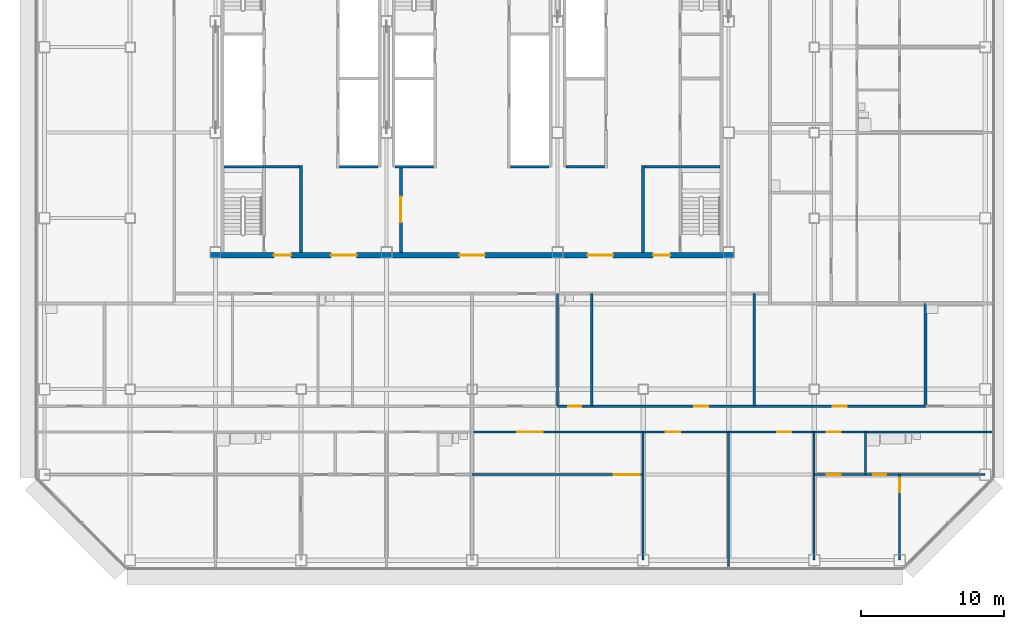
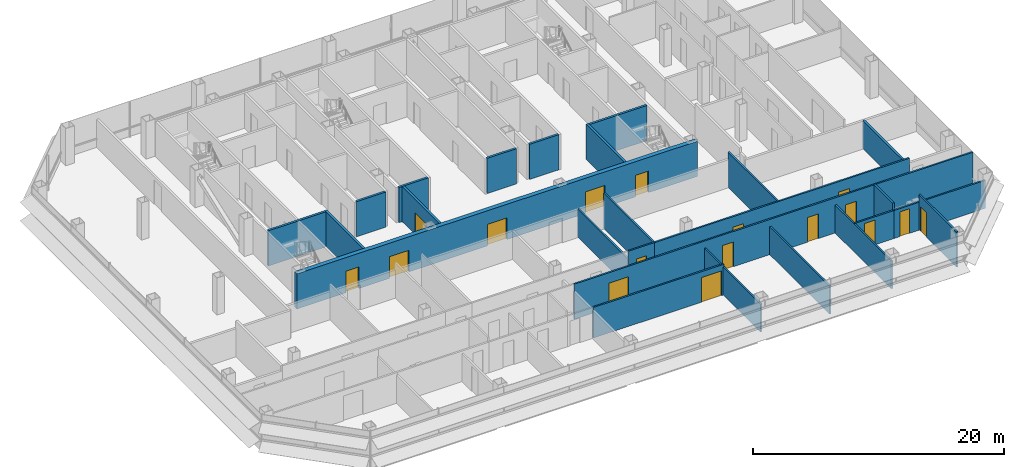
# One storey, part 20 of 25: 26 walls, 17 doors, 17 openings.
"""IFC4 building model written with IfcOpenShell, lengths in metres."""

from ifc_helpers import new_model, si_unit, direction, frame, frame_2d, origin, place, context, subcontext, project, spatial, rectangle, extrude, material, layer, layer_set, type_object, element, fill, save


model = new_model("IFC4")

# Units and contexts
model_context = context("Model", 3, precision=1e-05, world=origin(), true_north=direction((0.0, 1.0)))
body_context = subcontext(model_context, "Body", "Model", "MODEL_VIEW")
ifc_project = project(units=[si_unit("LENGTHUNIT", "METRE"), si_unit("AREAUNIT", "SQUARE_METRE"), si_unit("VOLUMEUNIT", "CUBIC_METRE"), si_unit("PLANEANGLEUNIT", "RADIAN"), si_unit("MASSUNIT", "GRAM", prefix="KILO")], contexts=[model_context])

# Site, building, storey
site_placement = place(None, origin())
site = spatial("IfcSite", under=ifc_project, at=site_placement, CompositionType="ELEMENT")
building_placement = place(site_placement, origin())
building = spatial("IfcBuilding", under=site, at=building_placement, Name="Sorahane Residences", CompositionType="ELEMENT")
storey_placement = place(building_placement, frame((0.0, 0.0, 143.800048828125)))
storey = spatial("IfcBuildingStorey", under=building, at=storey_placement, Name="L32", CompositionType="ELEMENT", Elevation=143.800048828125)

# Walls
ifc_material_1 = material(Name="Concrete C30", Category="concrete")
ifc_layer_1 = layer(ifc_material_1, 0.199951171875)
ifc_layer_set_1 = layer_set([ifc_layer_1], Name="Front room wall 200 EI 120")
wall_type_1 = type_object("IfcWallType", Name="Front room wall 200 EI 120", PredefinedType="PARTITIONING", material=ifc_layer_set_1)
for number, where, z_axis, x_axis, name in (
    (1, (12.0, 21.60009765625, 0.0), (0.0, 0.0, 1.0), (0.0, 1.0, 0.0), "L32 front room wall"),
    (2, (36.0, 21.60009765625, 0.0), (0.0, 0.0, 1.0), (0.0, 1.0, 0.0), "L32 front room wall"),
):
    element("IfcWall", number, at=place(storey_placement, frame(where, z_axis=z_axis, x_axis=x_axis)), inside=storey, type_object=wall_type_1, Name=name, PredefinedType="PARTITIONING", context=body_context, shape_type="SweptSolid", body=[
        extrude(rectangle(XDim=6.099853515625, YDim=0.199951171875, at=frame_2d((3.0498046875, 0.0))), origin(), (0.0, 0.0, 1.0), 3.419921875),
    ])
ifc_material_2 = material(Name="Concrete blockwork C20 wall", Category="masonry")
ifc_layer_2 = layer(ifc_material_2, 0.199951171875)
ifc_layer_set_2 = layer_set([ifc_layer_2], Name="Kitchen wall 200 EI 180")
wall_type_2 = type_object("IfcWallType", Name="Kitchen wall 200 EI 180", PredefinedType="SOLIDWALL", material=ifc_layer_set_2)
wall_1_placement = place(storey_placement, frame((55.800048828125, 10.800048828125, 0.0), z_axis=(0.0, 0.0, 1.0), x_axis=(0.0, 1.0, 0.0)))
element("IfcWall", 3, at=wall_1_placement, inside=storey, type_object=wall_type_2, Name="L32 kitchen wall", PredefinedType="SOLIDWALL", context=body_context, shape_type="SweptSolid", body=[
    extrude(rectangle(XDim=7.199951171875, YDim=0.199951171875, at=frame_2d((3.60009765625, 0.0))), origin(), (0.0, 0.0, 1.0), 2.719970703125),
])
ifc_material_3 = material(Name="Concrete C30", Category="concrete")
ifc_layer_3 = layer(ifc_material_3, 0.199951171875)
ifc_layer_set_3 = layer_set([ifc_layer_3], Name="Lift shaft wall 200 EI 120")
wall_type_3 = type_object("IfcWallType", Name="Lift shaft wall 200 EI 120", PredefinedType="SOLIDWALL", material=ifc_layer_set_3)
for number, where, z_axis, x_axis, name in (
    (4, (14.699951171875, 27.60009765625, 0.0), (0.0, 0.0, 1.0), (1.0, 0.0, 0.0), "L32 lift shaft wall"),
    (5, (18.60009765625, 27.60009765625, 0.0), (0.0, 0.0, 1.0), (1.0, 0.0, 0.0), "L32 lift shaft wall"),
):
    element("IfcWall", number, at=place(storey_placement, frame(where, z_axis=z_axis, x_axis=x_axis)), inside=storey, type_object=wall_type_3, Name=name, PredefinedType="SOLIDWALL", context=body_context, shape_type="SweptSolid", body=[
        extrude(rectangle(XDim=2.699951171875, YDim=0.199951171875, at=frame_2d((1.35009765625, 0.0))), origin(), (0.0, 0.0, 1.0), 3.419921875),
    ])
ifc_material_4 = material(Name="Gypsum board partition on steel studs", Category="steel")
ifc_layer_4 = layer(ifc_material_4, 0.14990234375)
ifc_layer_set_4 = layer_set([ifc_layer_4], Name="Partition 150 EI 90")
wall_type_4 = type_object("IfcWallType", Name="Partition 150 EI 90", PredefinedType="PARTITIONING", material=ifc_layer_set_4)
wall_2_placement = place(storey_placement, frame((36.0, 0.0, 0.0), z_axis=(0.0, 0.0, 1.0), x_axis=(0.0, 1.0, 0.0)))
element("IfcWall", 6, at=wall_2_placement, inside=storey, type_object=wall_type_4, Name="L32 partition", PredefinedType="PARTITIONING", context=body_context, shape_type="SweptSolid", body=[
    extrude(rectangle(XDim=9.0, YDim=0.14990234375, at=frame_2d((4.5, 0.0))), origin(), (0.0, 0.0, 1.0), 2.719970703125),
])
wall_3_placement = place(storey_placement, frame((42.0, -0.60009765625, 0.0), z_axis=(0.0, 0.0, 1.0), x_axis=(0.0, 1.0, 0.0)))
element("IfcWall", 7, at=wall_3_placement, inside=storey, type_object=wall_type_4, Name="L32 partition", PredefinedType="PARTITIONING", context=body_context, shape_type="SweptSolid", body=[
    extrude(rectangle(XDim=9.60009765625, YDim=0.14990234375, at=frame_2d((4.800048828125, 0.0))), origin(), (0.0, 0.0, 1.0), 2.719970703125),
])
wall_4_placement = place(storey_placement, frame((43.800048828125, 10.800048828125, 0.0), z_axis=(0.0, 0.0, 1.0), x_axis=(0.0, 1.0, 0.0)))
element("IfcWall", 8, at=wall_4_placement, inside=storey, type_object=wall_type_4, Name="L32 partition", PredefinedType="PARTITIONING", context=body_context, shape_type="SweptSolid", body=[
    extrude(rectangle(XDim=7.89990234375, YDim=0.14990234375, at=frame_2d((3.949951171875, 0.0))), origin(), (0.0, 0.0, 1.0), 3.419921875),
])
wall_5_placement = place(storey_placement, frame((48.0, 0.0, 0.0), z_axis=(0.0, 0.0, 1.0), x_axis=(0.0, 1.0, 0.0)))
element("IfcWall", 9, at=wall_5_placement, inside=storey, type_object=wall_type_4, Name="L32 partition", PredefinedType="PARTITIONING", context=body_context, shape_type="SweptSolid", body=[
    extrude(rectangle(XDim=9.0, YDim=0.14990234375, at=frame_2d((4.5, 0.0))), origin(), (0.0, 0.0, 1.0), 2.719970703125),
])

# Wall, opening, door
wall_6_placement = place(storey_placement, frame((54.0, 0.0, 0.0), z_axis=(0.0, 0.0, 1.0), x_axis=(0.0, 1.0, 0.0)))
wall_6 = element("IfcWall", 10, at=wall_6_placement, inside=storey, type_object=wall_type_4, Name="L32 partition", PredefinedType="PARTITIONING", context=body_context, shape_type="SweptSolid", body=[
    extrude(rectangle(XDim=6.0, YDim=0.14990234375, at=frame_2d((3.0, 0.0))), origin(), (0.0, 0.0, 1.0), 3.419921875),
])
opening_1_placement = place(wall_6_placement, frame((4.75, 0.0, 0.0)))
opening_1 = element("IfcOpeningElement", 11, at=opening_1_placement, cuts=wall_6, Name="Opening L32-26", PredefinedType="OPENING", context=body_context, shape_type="SweptSolid", body=[
    extrude(rectangle(XDim=1.0, YDim=2.39990234375, at=frame_2d((0.5, 1.199951171875))), frame((0.0, 0.0849609375, 0.0), z_axis=(0.0, -1.0, 0.0), x_axis=(1.0, 0.0, 0.0)), (0.0, 0.0, 1.0), 0.169921875),
])
ifc_material_5 = material(Name="Timber veneered fire door", Category="wood")
door_type_1 = type_object("IfcDoorType", Name="Room door 1000x2400 FD30", OperationType="NOTDEFINED", PredefinedType="DOOR", material=ifc_material_5)
door_1_placement = place(opening_1_placement, frame((1.0, 0.0, 0.0), z_axis=(0.0, 0.0, 1.0), x_axis=(-1.0, 0.0, 0.0)))
door_1 = element("IfcDoor", 12, at=door_1_placement, inside=storey, type_object=door_type_1, Name="Room door L32-26", OperationType="SINGLE_SWING_LEFT", OverallHeight=2.39990234375, OverallWidth=1.0, PredefinedType="DOOR", context=body_context, shape_type="SweptSolid", body=[
    extrude(rectangle(XDim=1.0, YDim=2.39990234375, at=frame_2d((0.5, 1.199951171875))), frame((0.0, 0.02490234375, 0.0), z_axis=(0.0, -1.0, 0.0), x_axis=(1.0, 0.0, 0.0)), (0.0, 0.0, 1.0), 0.050048828125),
])
fill(opening_1, door_1)

# Wall, openings, doors
wall_7_placement = place(storey_placement, frame((32.39990234375, 10.800048828125, 0.0), z_axis=(0.0, 0.0, 1.0), x_axis=(1.0, 0.0, 0.0)))
wall_7 = element("IfcWall", 13, at=wall_7_placement, inside=storey, type_object=wall_type_4, Name="L32 partition", PredefinedType="PARTITIONING", context=body_context, shape_type="SweptSolid", body=[
    extrude(rectangle(XDim=23.400146484375, YDim=0.14990234375, at=frame_2d((11.7001953125, 0.0))), origin(), (0.0, 0.0, 1.0), 3.419921875),
])
opening_2_placement = place(wall_7_placement, frame((7.179931640625, 0.0, 0.0)))
opening_2 = element("IfcOpeningElement", 14, at=opening_2_placement, cuts=wall_7, Name="Opening L32-17", PredefinedType="OPENING", context=body_context, shape_type="SweptSolid", body=[
    extrude(rectangle(XDim=1.0, YDim=2.39990234375, at=frame_2d((0.5, 1.199951171875))), frame((0.0, 0.0849609375, 0.0), z_axis=(0.0, -1.0, 0.0), x_axis=(1.0, 0.0, 0.0)), (0.0, 0.0, 1.0), 0.169921875),
])
opening_3_placement = place(wall_7_placement, frame((16.89990234375, 0.0, 0.0)))
opening_3 = element("IfcOpeningElement", 15, at=opening_3_placement, cuts=wall_7, Name="Opening L32-18", PredefinedType="OPENING", context=body_context, shape_type="SweptSolid", body=[
    extrude(rectangle(XDim=1.0, YDim=2.39990234375, at=frame_2d((0.5, 1.199951171875))), frame((0.0, 0.0849609375, 0.0), z_axis=(0.0, -1.0, 0.0), x_axis=(1.0, 0.0, 0.0)), (0.0, 0.0, 1.0), 0.169921875),
])
door_2_placement = place(opening_2_placement, origin())
door_2 = element("IfcDoor", 16, at=door_2_placement, inside=storey, type_object=door_type_1, Name="Room door L32-17", OperationType="SINGLE_SWING_RIGHT", OverallHeight=2.39990234375, OverallWidth=1.0, PredefinedType="DOOR", context=body_context, shape_type="SweptSolid", body=[
    extrude(rectangle(XDim=1.0, YDim=2.39990234375, at=frame_2d((0.5, 1.199951171875))), frame((0.0, 0.02490234375, 0.0), z_axis=(0.0, -1.0, 0.0), x_axis=(1.0, 0.0, 0.0)), (0.0, 0.0, 1.0), 0.050048828125),
])
fill(opening_2, door_2)
door_3_placement = place(opening_3_placement, origin())
door_3 = element("IfcDoor", 17, at=door_3_placement, inside=storey, type_object=door_type_1, Name="Room door L32-18", OperationType="SINGLE_SWING_RIGHT", OverallHeight=2.39990234375, OverallWidth=1.0, PredefinedType="DOOR", context=body_context, shape_type="SweptSolid", body=[
    extrude(rectangle(XDim=1.0, YDim=2.39990234375, at=frame_2d((0.5, 1.199951171875))), frame((0.0, 0.02490234375, 0.0), z_axis=(0.0, -1.0, 0.0), x_axis=(1.0, 0.0, 0.0)), (0.0, 0.0, 1.0), 0.050048828125),
])
fill(opening_3, door_3)

# Wall, opening, door
wall_8_placement = place(storey_placement, frame((24.0, 6.0, 0.0), z_axis=(0.0, 0.0, 1.0), x_axis=(1.0, 0.0, 0.0)))
wall_8 = element("IfcWall", 18, at=wall_8_placement, inside=storey, type_object=wall_type_4, Name="L32 partition", PredefinedType="PARTITIONING", context=body_context, shape_type="SweptSolid", body=[
    extrude(rectangle(XDim=12.0, YDim=0.14990234375, at=frame_2d((6.0, 0.0))), origin(), (0.0, 0.0, 1.0), 2.969970703125),
])
opening_4_placement = place(wall_8_placement, frame((9.949951171875, 0.0, 0.0)))
opening_4 = element("IfcOpeningElement", 19, at=opening_4_placement, cuts=wall_8, Name="Opening L32-24", PredefinedType="OPENING", context=body_context, shape_type="SweptSolid", body=[
    extrude(rectangle(XDim=1.800048828125, YDim=2.39990234375, at=frame_2d((0.89990234375, 1.199951171875))), frame((0.0, 0.0849609375, 0.0), z_axis=(0.0, -1.0, 0.0), x_axis=(1.0, 0.0, 0.0)), (0.0, 0.0, 1.0), 0.169921875),
])
ifc_material_6 = material(Name="Timber veneered fire door", Category="wood")
door_type_2 = type_object("IfcDoorType", Name="Double door 1800x2400 FD30", OperationType="NOTDEFINED", PredefinedType="DOOR", material=ifc_material_6)
door_4_placement = place(opening_4_placement, frame((1.800048828125, 0.0, 0.0), z_axis=(0.0, 0.0, 1.0), x_axis=(-1.0, 0.0, 0.0)))
door_4 = element("IfcDoor", 20, at=door_4_placement, inside=storey, type_object=door_type_2, Name="Double door L32-24", OperationType="SINGLE_SWING_LEFT", OverallHeight=2.39990234375, OverallWidth=1.800048828125, PredefinedType="DOOR", context=body_context, shape_type="SweptSolid", body=[
    extrude(rectangle(XDim=1.800048828125, YDim=2.39990234375, at=frame_2d((0.89990234375, 1.199951171875))), frame((0.0, 0.02490234375, 0.0), z_axis=(0.0, -1.0, 0.0), x_axis=(1.0, 0.0, 0.0)), (0.0, 0.0, 1.0), 0.050048828125),
])
fill(opening_4, door_4)

wall_9_placement = place(storey_placement, frame((48.0, 6.0, 0.0), z_axis=(0.0, 0.0, 1.0), x_axis=(1.0, 0.0, 0.0)))
wall_9 = element("IfcWall", 21, at=wall_9_placement, inside=storey, type_object=wall_type_4, Name="L32 partition", PredefinedType="PARTITIONING", context=body_context, shape_type="SweptSolid", body=[
    extrude(rectangle(XDim=3.60009765625, YDim=0.14990234375, at=frame_2d((1.800048828125, 0.0))), origin(), (0.0, 0.0, 1.0), 2.719970703125),
])
opening_5_placement = place(wall_9_placement, frame((0.8798828125, 0.0, 0.0)))
opening_5 = element("IfcOpeningElement", 22, at=opening_5_placement, cuts=wall_9, Name="Opening L32-25", PredefinedType="OPENING", context=body_context, shape_type="SweptSolid", body=[
    extrude(rectangle(XDim=1.0, YDim=2.39990234375, at=frame_2d((0.5, 1.199951171875))), frame((0.0, 0.0849609375, 0.0), z_axis=(0.0, -1.0, 0.0), x_axis=(1.0, 0.0, 0.0)), (0.0, 0.0, 1.0), 0.169921875),
])
door_5_placement = place(opening_5_placement, frame((1.0, 0.0, 0.0), z_axis=(0.0, 0.0, 1.0), x_axis=(-1.0, 0.0, 0.0)))
door_5 = element("IfcDoor", 23, at=door_5_placement, inside=storey, type_object=door_type_1, Name="Room door L32-25", OperationType="SINGLE_SWING_LEFT", OverallHeight=2.39990234375, OverallWidth=1.0, PredefinedType="DOOR", context=body_context, shape_type="SweptSolid", body=[
    extrude(rectangle(XDim=1.0, YDim=2.39990234375, at=frame_2d((0.5, 1.199951171875))), frame((0.0, 0.02490234375, 0.0), z_axis=(0.0, -1.0, 0.0), x_axis=(1.0, 0.0, 0.0)), (0.0, 0.0, 1.0), 0.050048828125),
])
fill(opening_5, door_5)

# Wall, openings, doors
wall_10_placement = place(storey_placement, frame((24.0, 9.0, 0.0), z_axis=(0.0, 0.0, 1.0), x_axis=(1.0, 0.0, 0.0)))
wall_10 = element("IfcWall", 24, at=wall_10_placement, inside=storey, type_object=wall_type_4, Name="L32 partition", PredefinedType="PARTITIONING", context=body_context, shape_type="SweptSolid", body=[
    extrude(rectangle(XDim=27.60009765625, YDim=0.14990234375, at=frame_2d((13.800048828125, 0.0))), origin(), (0.0, 0.0, 1.0), 3.419921875),
])
opening_6_placement = place(wall_10_placement, frame((3.159912109375, 0.0, 0.0)))
opening_6 = element("IfcOpeningElement", 25, at=opening_6_placement, cuts=wall_10, Name="Opening L32-20", PredefinedType="OPENING", context=body_context, shape_type="SweptSolid", body=[
    extrude(rectangle(XDim=1.800048828125, YDim=2.39990234375, at=frame_2d((0.89990234375, 1.199951171875))), frame((0.0, 0.0849609375, 0.0), z_axis=(0.0, -1.0, 0.0), x_axis=(1.0, 0.0, 0.0)), (0.0, 0.0, 1.0), 0.169921875),
])
opening_7_placement = place(wall_10_placement, frame((13.60009765625, 0.0, 0.0)))
opening_7 = element("IfcOpeningElement", 26, at=opening_7_placement, cuts=wall_10, Name="Opening L32-21", PredefinedType="OPENING", context=body_context, shape_type="SweptSolid", body=[
    extrude(rectangle(XDim=1.0, YDim=2.39990234375, at=frame_2d((0.5, 1.199951171875))), frame((0.0, 0.0849609375, 0.0), z_axis=(0.0, -1.0, 0.0), x_axis=(1.0, 0.0, 0.0)), (0.0, 0.0, 1.0), 0.169921875),
])
opening_8_placement = place(wall_10_placement, frame((21.39990234375, 0.0, 0.0)))
opening_8 = element("IfcOpeningElement", 27, at=opening_8_placement, cuts=wall_10, Name="Opening L32-22", PredefinedType="OPENING", context=body_context, shape_type="SweptSolid", body=[
    extrude(rectangle(XDim=1.0, YDim=2.39990234375, at=frame_2d((0.5, 1.199951171875))), frame((0.0, 0.0849609375, 0.0), z_axis=(0.0, -1.0, 0.0), x_axis=(1.0, 0.0, 0.0)), (0.0, 0.0, 1.0), 0.169921875),
])
opening_9_placement = place(wall_10_placement, frame((24.8798828125, 0.0, 0.0)))
opening_9 = element("IfcOpeningElement", 28, at=opening_9_placement, cuts=wall_10, Name="Opening L32-23", PredefinedType="OPENING", context=body_context, shape_type="SweptSolid", body=[
    extrude(rectangle(XDim=1.0, YDim=2.39990234375, at=frame_2d((0.5, 1.199951171875))), frame((0.0, 0.0849609375, 0.0), z_axis=(0.0, -1.0, 0.0), x_axis=(1.0, 0.0, 0.0)), (0.0, 0.0, 1.0), 0.169921875),
])
door_6_placement = place(opening_6_placement, frame((1.800048828125, 0.0, 0.0), z_axis=(0.0, 0.0, 1.0), x_axis=(-1.0, 0.0, 0.0)))
door_6 = element("IfcDoor", 29, at=door_6_placement, inside=storey, type_object=door_type_2, Name="Double door L32-20", OperationType="SINGLE_SWING_RIGHT", OverallHeight=2.39990234375, OverallWidth=1.800048828125, PredefinedType="DOOR", context=body_context, shape_type="SweptSolid", body=[
    extrude(rectangle(XDim=1.800048828125, YDim=2.39990234375, at=frame_2d((0.89990234375, 1.199951171875))), frame((0.0, 0.02490234375, 0.0), z_axis=(0.0, -1.0, 0.0), x_axis=(1.0, 0.0, 0.0)), (0.0, 0.0, 1.0), 0.050048828125),
])
fill(opening_6, door_6)
door_7_placement = place(opening_7_placement, frame((1.0, 0.0, 0.0), z_axis=(0.0, 0.0, 1.0), x_axis=(-1.0, 0.0, 0.0)))
door_7 = element("IfcDoor", 30, at=door_7_placement, inside=storey, type_object=door_type_1, Name="Room door L32-21", OperationType="SINGLE_SWING_LEFT", OverallHeight=2.39990234375, OverallWidth=1.0, PredefinedType="DOOR", context=body_context, shape_type="SweptSolid", body=[
    extrude(rectangle(XDim=1.0, YDim=2.39990234375, at=frame_2d((0.5, 1.199951171875))), frame((0.0, 0.02490234375, 0.0), z_axis=(0.0, -1.0, 0.0), x_axis=(1.0, 0.0, 0.0)), (0.0, 0.0, 1.0), 0.050048828125),
])
fill(opening_7, door_7)
door_8_placement = place(opening_8_placement, frame((1.0, 0.0, 0.0), z_axis=(0.0, 0.0, 1.0), x_axis=(-1.0, 0.0, 0.0)))
door_8 = element("IfcDoor", 31, at=door_8_placement, inside=storey, type_object=door_type_1, Name="Room door L32-22", OperationType="SINGLE_SWING_RIGHT", OverallHeight=2.39990234375, OverallWidth=1.0, PredefinedType="DOOR", context=body_context, shape_type="SweptSolid", body=[
    extrude(rectangle(XDim=1.0, YDim=2.39990234375, at=frame_2d((0.5, 1.199951171875))), frame((0.0, 0.02490234375, 0.0), z_axis=(0.0, -1.0, 0.0), x_axis=(1.0, 0.0, 0.0)), (0.0, 0.0, 1.0), 0.050048828125),
])
fill(opening_8, door_8)
door_9_placement = place(opening_9_placement, frame((1.0, 0.0, 0.0), z_axis=(0.0, 0.0, 1.0), x_axis=(-1.0, 0.0, 0.0)))
door_9 = element("IfcDoor", 32, at=door_9_placement, inside=storey, type_object=door_type_1, Name="Room door L32-23", OperationType="SINGLE_SWING_LEFT", OverallHeight=2.39990234375, OverallWidth=1.0, PredefinedType="DOOR", context=body_context, shape_type="SweptSolid", body=[
    extrude(rectangle(XDim=1.0, YDim=2.39990234375, at=frame_2d((0.5, 1.199951171875))), frame((0.0, 0.02490234375, 0.0), z_axis=(0.0, -1.0, 0.0), x_axis=(1.0, 0.0, 0.0)), (0.0, 0.0, 1.0), 0.050048828125),
])
fill(opening_9, door_9)

# Wall
ifc_material_7 = material(Name="Concrete C30", Category="concrete")
ifc_layer_5 = layer(ifc_material_7, 0.199951171875)
ifc_layer_set_5 = layer_set([ifc_layer_5], Name="Riser shaft wall 200 EI 120")
wall_type_5 = type_object("IfcWallType", Name="Riser shaft wall 200 EI 120", PredefinedType="SOLIDWALL", material=ifc_layer_set_5)
wall_11_placement = place(storey_placement, frame((26.699951171875, 27.60009765625, 0.0), z_axis=(0.0, 0.0, 1.0), x_axis=(1.0, 0.0, 0.0)))
element("IfcWall", 33, at=wall_11_placement, inside=storey, type_object=wall_type_5, Name="L32 riser wall", PredefinedType="SOLIDWALL", context=body_context, shape_type="SweptSolid", body=[
    extrude(rectangle(XDim=2.699951171875, YDim=0.199951171875, at=frame_2d((1.35009765625, 0.0))), origin(), (0.0, 0.0, 1.0), 3.419921875),
])

# Wall, opening, door
ifc_material_8 = material(Name="Concrete C30", Category="concrete")
ifc_layer_6 = layer(ifc_material_8, 0.199951171875)
ifc_layer_set_6 = layer_set([ifc_layer_6], Name="Service room partition 200 EI 60")
wall_type_6 = type_object("IfcWallType", Name="Service room partition 200 EI 60", PredefinedType="PARTITIONING", material=ifc_layer_set_6)
wall_12_placement = place(storey_placement, frame((19.0, 21.60009765625, 0.0), z_axis=(0.0, 0.0, 1.0), x_axis=(0.0, 1.0, 0.0)))
wall_12 = element("IfcWall", 34, at=wall_12_placement, inside=storey, type_object=wall_type_6, Name="L32 service room wall", PredefinedType="PARTITIONING", context=body_context, shape_type="SweptSolid", body=[
    extrude(rectangle(XDim=6.0, YDim=0.199951171875, at=frame_2d((3.0, 0.0))), origin(), (0.0, 0.0, 1.0), 3.419921875),
])
opening_10_placement = place(wall_12_placement, frame((2.10009765625, 0.0, 0.0)))
opening_10 = element("IfcOpeningElement", 35, at=opening_10_placement, cuts=wall_12, Name="Opening L32-C02", PredefinedType="OPENING", context=body_context, shape_type="SweptSolid", body=[
    extrude(rectangle(XDim=1.800048828125, YDim=2.10009765625, at=frame_2d((0.89990234375, 1.050048828125))), frame((0.0, 0.10986328125, 0.0), z_axis=(0.0, -1.0, 0.0), x_axis=(1.0, 0.0, 0.0)), (0.0, 0.0, 1.0), 0.219970703125),
])
ifc_material_9 = material(Name="Steel", Category="steel")
door_type_3 = type_object("IfcDoorType", Name="Waiting hall door 1800x2100 FD60", OperationType="NOTDEFINED", PredefinedType="DOOR", material=ifc_material_9)
door_10_placement = place(opening_10_placement, origin())
door_10 = element("IfcDoor", 36, at=door_10_placement, inside=storey, type_object=door_type_3, Name="Waiting hall door Residents' waiting hall west L32", OperationType="SINGLE_SWING_LEFT", OverallHeight=2.10009765625, OverallWidth=1.800048828125, PredefinedType="DOOR", context=body_context, shape_type="SweptSolid", body=[
    extrude(rectangle(XDim=1.800048828125, YDim=2.10009765625, at=frame_2d((0.89990234375, 1.050048828125))), frame((0.0, 0.02490234375, 0.0), z_axis=(0.0, -1.0, 0.0), x_axis=(1.0, 0.0, 0.0)), (0.0, 0.0, 1.0), 0.050048828125),
])
fill(opening_10, door_10)

# Walls
wall_13_placement = place(storey_placement, frame((30.60009765625, 27.60009765625, 0.0), z_axis=(0.0, 0.0, 1.0), x_axis=(1.0, 0.0, 0.0)))
element("IfcWall", 37, at=wall_13_placement, inside=storey, type_object=wall_type_6, Name="L32 service room wall", PredefinedType="PARTITIONING", context=body_context, shape_type="SweptSolid", body=[
    extrude(rectangle(XDim=2.699951171875, YDim=0.199951171875, at=frame_2d((1.35009765625, 0.0))), origin(), (0.0, 0.0, 1.0), 3.419921875),
])
ifc_material_10 = material(Name="Concrete C30", Category="concrete")
ifc_layer_7 = layer(ifc_material_10, 0.199951171875)
ifc_layer_set_7 = layer_set([ifc_layer_7], Name="Stair enclosure wall 200 EI 120")
wall_type_7 = type_object("IfcWallType", Name="Stair enclosure wall 200 EI 120", PredefinedType="SOLIDWALL", material=ifc_layer_set_7)
for number, where, z_axis, x_axis, name in (
    (38, (36.10009765625, 27.60009765625, 0.0), (0.0, 0.0, 1.0), (1.0, 0.0, 0.0), "L32 stair enclosure wall"),
    (39, (6.60009765625, 27.60009765625, 0.0), (0.0, 0.0, 1.0), (1.0, 0.0, 0.0), "L32 stair enclosure wall"),
):
    element("IfcWall", number, at=place(storey_placement, frame(where, z_axis=z_axis, x_axis=x_axis)), inside=storey, type_object=wall_type_7, Name=name, PredefinedType="SOLIDWALL", context=body_context, shape_type="SweptSolid", body=[
        extrude(rectangle(XDim=5.2998046875, YDim=0.199951171875, at=frame_2d((2.64990234375, 0.0))), origin(), (0.0, 0.0, 1.0), 3.419921875),
    ])

# Wall, openings, doors
ifc_material_11 = material(Name="Concrete C30", Category="concrete")
ifc_layer_8 = layer(ifc_material_11, 0.39990234375)
ifc_layer_set_8 = layer_set([ifc_layer_8], Name="Waiting hall wall 400 EI 120")
wall_type_8 = type_object("IfcWallType", Name="Waiting hall wall 400 EI 120", PredefinedType="SOLIDWALL", material=ifc_layer_set_8)
wall_14_placement = place(storey_placement, frame((5.60009765625, 21.39990234375, 0.0), z_axis=(0.0, 0.0, 1.0), x_axis=(1.0, 0.0, 0.0)))
wall_14 = element("IfcWall", 40, at=wall_14_placement, inside=storey, type_object=wall_type_8, Name="L32 waiting hall wall", PredefinedType="SOLIDWALL", context=body_context, shape_type="SweptSolid", body=[
    extrude(rectangle(XDim=36.7998046875, YDim=0.39990234375, at=frame_2d((18.39990234375, 0.0))), origin(), (0.0, 0.0, 1.0), 3.419921875),
])
opening_11_placement = place(wall_14_placement, frame((8.5, 0.0, 0.0)))
opening_11 = element("IfcOpeningElement", 41, at=opening_11_placement, cuts=wall_14, Name="Opening L32-C01", PredefinedType="OPENING", context=body_context, shape_type="SweptSolid", body=[
    extrude(rectangle(XDim=1.800048828125, YDim=2.10009765625, at=frame_2d((0.89990234375, 1.050048828125))), frame((0.0, 0.2099609375, 0.0), z_axis=(0.0, -1.0, 0.0), x_axis=(1.0, 0.0, 0.0)), (0.0, 0.0, 1.0), 0.419921875),
])
opening_12_placement = place(wall_14_placement, frame((17.5, 0.0, 0.0)))
opening_12 = element("IfcOpeningElement", 42, at=opening_12_placement, cuts=wall_14, Name="Opening L32-C03", PredefinedType="OPENING", context=body_context, shape_type="SweptSolid", body=[
    extrude(rectangle(XDim=1.800048828125, YDim=2.10009765625, at=frame_2d((0.89990234375, 1.050048828125))), frame((0.0, 0.2099609375, 0.0), z_axis=(0.0, -1.0, 0.0), x_axis=(1.0, 0.0, 0.0)), (0.0, 0.0, 1.0), 0.419921875),
])
opening_13_placement = place(wall_14_placement, frame((26.5, 0.0, 0.0)))
opening_13 = element("IfcOpeningElement", 43, at=opening_13_placement, cuts=wall_14, Name="Opening L32-C04", PredefinedType="OPENING", context=body_context, shape_type="SweptSolid", body=[
    extrude(rectangle(XDim=1.800048828125, YDim=2.10009765625, at=frame_2d((0.89990234375, 1.050048828125))), frame((0.0, 0.2099609375, 0.0), z_axis=(0.0, -1.0, 0.0), x_axis=(1.0, 0.0, 0.0)), (0.0, 0.0, 1.0), 0.419921875),
])
opening_14_placement = place(wall_14_placement, frame((4.5, 0.0, 0.0)))
opening_14 = element("IfcOpeningElement", 44, at=opening_14_placement, cuts=wall_14, Name="Opening L32-C05", PredefinedType="OPENING", context=body_context, shape_type="SweptSolid", body=[
    extrude(rectangle(XDim=1.199951171875, YDim=2.10009765625, at=frame_2d((0.60009765625, 1.050048828125))), frame((0.0, 0.2099609375, 0.0), z_axis=(0.0, -1.0, 0.0), x_axis=(1.0, 0.0, 0.0)), (0.0, 0.0, 1.0), 0.419921875),
])
opening_15_placement = place(wall_14_placement, frame((31.10009765625, 0.0, 0.0)))
opening_15 = element("IfcOpeningElement", 45, at=opening_15_placement, cuts=wall_14, Name="Opening L32-C06", PredefinedType="OPENING", context=body_context, shape_type="SweptSolid", body=[
    extrude(rectangle(XDim=1.199951171875, YDim=2.10009765625, at=frame_2d((0.60009765625, 1.050048828125))), frame((0.0, 0.2099609375, 0.0), z_axis=(0.0, -1.0, 0.0), x_axis=(1.0, 0.0, 0.0)), (0.0, 0.0, 1.0), 0.419921875),
])
ifc_material_12 = material(Name="Steel", Category="steel")
door_type_4 = type_object("IfcDoorType", Name="Stair front room door 1200x2100 FD120", OperationType="NOTDEFINED", PredefinedType="DOOR", material=ifc_material_12)
door_11_placement = place(opening_14_placement, frame((1.199951171875, 0.0, 0.0), z_axis=(0.0, 0.0, 1.0), x_axis=(-1.0, 0.0, 0.0)))
door_11 = element("IfcDoor", 46, at=door_11_placement, inside=storey, type_object=door_type_4, Name="Stair front room door Stair S4 front room L32", OperationType="SINGLE_SWING_LEFT", OverallHeight=2.10009765625, OverallWidth=1.199951171875, PredefinedType="DOOR", context=body_context, shape_type="SweptSolid", body=[
    extrude(rectangle(XDim=1.199951171875, YDim=2.10009765625, at=frame_2d((0.60009765625, 1.050048828125))), frame((0.0, 0.02490234375, 0.0), z_axis=(0.0, -1.0, 0.0), x_axis=(1.0, 0.0, 0.0)), (0.0, 0.0, 1.0), 0.050048828125),
])
fill(opening_14, door_11)
door_12_placement = place(opening_15_placement, frame((1.199951171875, 0.0, 0.0), z_axis=(0.0, 0.0, 1.0), x_axis=(-1.0, 0.0, 0.0)))
door_12 = element("IfcDoor", 47, at=door_12_placement, inside=storey, type_object=door_type_4, Name="Stair front room door Stair S5 front room L32", OperationType="SINGLE_SWING_LEFT", OverallHeight=2.10009765625, OverallWidth=1.199951171875, PredefinedType="DOOR", context=body_context, shape_type="SweptSolid", body=[
    extrude(rectangle(XDim=1.199951171875, YDim=2.10009765625, at=frame_2d((0.60009765625, 1.050048828125))), frame((0.0, 0.02490234375, 0.0), z_axis=(0.0, -1.0, 0.0), x_axis=(1.0, 0.0, 0.0)), (0.0, 0.0, 1.0), 0.050048828125),
])
fill(opening_15, door_12)
door_13_placement = place(opening_11_placement, frame((1.800048828125, 0.0, 0.0), z_axis=(0.0, 0.0, 1.0), x_axis=(-1.0, 0.0, 0.0)))
door_13 = element("IfcDoor", 48, at=door_13_placement, inside=storey, type_object=door_type_3, Name="Waiting hall door Residents' waiting hall west L32", OperationType="SINGLE_SWING_LEFT", OverallHeight=2.10009765625, OverallWidth=1.800048828125, PredefinedType="DOOR", context=body_context, shape_type="SweptSolid", body=[
    extrude(rectangle(XDim=1.800048828125, YDim=2.10009765625, at=frame_2d((0.89990234375, 1.050048828125))), frame((0.0, 0.02490234375, 0.0), z_axis=(0.0, -1.0, 0.0), x_axis=(1.0, 0.0, 0.0)), (0.0, 0.0, 1.0), 0.050048828125),
])
fill(opening_11, door_13)
door_14_placement = place(opening_12_placement, frame((1.800048828125, 0.0, 0.0), z_axis=(0.0, 0.0, 1.0), x_axis=(-1.0, 0.0, 0.0)))
door_14 = element("IfcDoor", 49, at=door_14_placement, inside=storey, type_object=door_type_3, Name="Waiting hall door Residents' waiting hall east L32", OperationType="SINGLE_SWING_LEFT", OverallHeight=2.10009765625, OverallWidth=1.800048828125, PredefinedType="DOOR", context=body_context, shape_type="SweptSolid", body=[
    extrude(rectangle(XDim=1.800048828125, YDim=2.10009765625, at=frame_2d((0.89990234375, 1.050048828125))), frame((0.0, 0.02490234375, 0.0), z_axis=(0.0, -1.0, 0.0), x_axis=(1.0, 0.0, 0.0)), (0.0, 0.0, 1.0), 0.050048828125),
])
fill(opening_12, door_14)
door_15_placement = place(opening_13_placement, frame((1.800048828125, 0.0, 0.0), z_axis=(0.0, 0.0, 1.0), x_axis=(-1.0, 0.0, 0.0)))
door_15 = element("IfcDoor", 50, at=door_15_placement, inside=storey, type_object=door_type_3, Name="Waiting hall door Residents' waiting hall east L32", OperationType="SINGLE_SWING_LEFT", OverallHeight=2.10009765625, OverallWidth=1.800048828125, PredefinedType="DOOR", context=body_context, shape_type="SweptSolid", body=[
    extrude(rectangle(XDim=1.800048828125, YDim=2.10009765625, at=frame_2d((0.89990234375, 1.050048828125))), frame((0.0, 0.02490234375, 0.0), z_axis=(0.0, -1.0, 0.0), x_axis=(1.0, 0.0, 0.0)), (0.0, 0.0, 1.0), 0.050048828125),
])
fill(opening_13, door_15)

# Walls
ifc_material_13 = material(Name="Gypsum board partition on steel studs", Category="steel")
ifc_layer_9 = layer(ifc_material_13, 0.14990234375)
ifc_layer_set_9 = layer_set([ifc_layer_9], Name="Wet wall 150 EI 90")
wall_type_9 = type_object("IfcWallType", Name="Wet wall 150 EI 90", PredefinedType="PARTITIONING", material=ifc_layer_set_9)
wall_15_placement = place(storey_placement, frame((30.0, 10.800048828125, 0.0), z_axis=(0.0, 0.0, 1.0), x_axis=(0.0, 1.0, 0.0)))
element("IfcWall", 51, at=wall_15_placement, inside=storey, type_object=wall_type_9, Name="L32 wet wall", PredefinedType="PARTITIONING", context=body_context, shape_type="SweptSolid", body=[
    extrude(rectangle(XDim=7.89990234375, YDim=0.14990234375, at=frame_2d((3.949951171875, 0.0))), origin(), (0.0, 0.0, 1.0), 2.719970703125),
])
wall_16_placement = place(storey_placement, frame((32.39990234375, 10.800048828125, 0.0), z_axis=(0.0, 0.0, 1.0), x_axis=(0.0, 1.0, 0.0)))
element("IfcWall", 52, at=wall_16_placement, inside=storey, type_object=wall_type_9, Name="L32 wet wall", PredefinedType="PARTITIONING", context=body_context, shape_type="SweptSolid", body=[
    extrude(rectangle(XDim=7.89990234375, YDim=0.14990234375, at=frame_2d((3.949951171875, 0.0))), origin(), (0.0, 0.0, 1.0), 3.419921875),
])
wall_17_placement = place(storey_placement, frame((51.60009765625, 6.0, 0.0), z_axis=(0.0, 0.0, 1.0), x_axis=(0.0, 1.0, 0.0)))
element("IfcWall", 53, at=wall_17_placement, inside=storey, type_object=wall_type_9, Name="L32 wet wall", PredefinedType="PARTITIONING", context=body_context, shape_type="SweptSolid", body=[
    extrude(rectangle(XDim=3.0, YDim=0.14990234375, at=frame_2d((1.5, 0.0))), origin(), (0.0, 0.0, 1.0), 3.419921875),
])

# Wall, opening, door
wall_18_placement = place(storey_placement, frame((30.0, 10.800048828125, 0.0), z_axis=(0.0, 0.0, 1.0), x_axis=(1.0, 0.0, 0.0)))
wall_18 = element("IfcWall", 54, at=wall_18_placement, inside=storey, type_object=wall_type_9, Name="L32 wet wall", PredefinedType="PARTITIONING", context=body_context, shape_type="SweptSolid", body=[
    extrude(rectangle(XDim=2.39990234375, YDim=0.14990234375, at=frame_2d((1.199951171875, 0.0))), origin(), (0.0, 0.0, 1.0), 3.419921875),
])
opening_16_placement = place(wall_18_placement, frame((0.75, 0.0, 0.0)))
opening_16 = element("IfcOpeningElement", 55, at=opening_16_placement, cuts=wall_18, Name="Opening L32-16", PredefinedType="OPENING", context=body_context, shape_type="SweptSolid", body=[
    extrude(rectangle(XDim=0.89990234375, YDim=2.39990234375, at=frame_2d((0.449951171875, 1.199951171875))), frame((0.0, 0.0849609375, 0.0), z_axis=(0.0, -1.0, 0.0), x_axis=(1.0, 0.0, 0.0)), (0.0, 0.0, 1.0), 0.169921875),
])
ifc_material_14 = material(Name="Timber veneered fire door", Category="wood")
door_type_5 = type_object("IfcDoorType", Name="Bathroom door 900x2400 FD30", OperationType="NOTDEFINED", PredefinedType="DOOR", material=ifc_material_14)
door_16_placement = place(opening_16_placement, frame((0.89990234375, 0.0, 0.0), z_axis=(0.0, 0.0, 1.0), x_axis=(-1.0, 0.0, 0.0)))
door_16 = element("IfcDoor", 56, at=door_16_placement, inside=storey, type_object=door_type_5, Name="Bathroom door L32-16", OperationType="SINGLE_SWING_RIGHT", OverallHeight=2.39990234375, OverallWidth=0.89990234375, PredefinedType="DOOR", context=body_context, shape_type="SweptSolid", body=[
    extrude(rectangle(XDim=0.89990234375, YDim=2.39990234375, at=frame_2d((0.449951171875, 1.199951171875))), frame((0.0, 0.02490234375, 0.0), z_axis=(0.0, -1.0, 0.0), x_axis=(1.0, 0.0, 0.0)), (0.0, 0.0, 1.0), 0.050048828125),
])
fill(opening_16, door_16)

wall_19_placement = place(storey_placement, frame((51.60009765625, 6.0, 0.0), z_axis=(0.0, 0.0, 1.0), x_axis=(1.0, 0.0, 0.0)))
wall_19 = element("IfcWall", 57, at=wall_19_placement, inside=storey, type_object=wall_type_9, Name="L32 wet wall", PredefinedType="PARTITIONING", context=body_context, shape_type="SweptSolid", body=[
    extrude(rectangle(XDim=8.39990234375, YDim=0.14990234375, at=frame_2d((4.199951171875, 0.0))), origin(), (0.0, 0.0, 1.0), 2.719970703125),
])
opening_17_placement = place(wall_19_placement, frame((0.550048828125, 0.0, 0.0)))
opening_17 = element("IfcOpeningElement", 58, at=opening_17_placement, cuts=wall_19, Name="Opening L32-27", PredefinedType="OPENING", context=body_context, shape_type="SweptSolid", body=[
    extrude(rectangle(XDim=0.89990234375, YDim=2.39990234375, at=frame_2d((0.449951171875, 1.199951171875))), frame((0.0, 0.0849609375, 0.0), z_axis=(0.0, -1.0, 0.0), x_axis=(1.0, 0.0, 0.0)), (0.0, 0.0, 1.0), 0.169921875),
])
door_17_placement = place(opening_17_placement, frame((0.89990234375, 0.0, 0.0), z_axis=(0.0, 0.0, 1.0), x_axis=(-1.0, 0.0, 0.0)))
door_17 = element("IfcDoor", 59, at=door_17_placement, inside=storey, type_object=door_type_5, Name="Bathroom door L32-27", OperationType="SINGLE_SWING_RIGHT", OverallHeight=2.39990234375, OverallWidth=0.89990234375, PredefinedType="DOOR", context=body_context, shape_type="SweptSolid", body=[
    extrude(rectangle(XDim=0.89990234375, YDim=2.39990234375, at=frame_2d((0.449951171875, 1.199951171875))), frame((0.0, 0.02490234375, 0.0), z_axis=(0.0, -1.0, 0.0), x_axis=(1.0, 0.0, 0.0)), (0.0, 0.0, 1.0), 0.050048828125),
])
fill(opening_17, door_17)

# Wall
wall_20_placement = place(storey_placement, frame((51.60009765625, 9.0, 0.0), z_axis=(0.0, 0.0, 1.0), x_axis=(1.0, 0.0, 0.0)))
element("IfcWall", 60, at=wall_20_placement, inside=storey, type_object=wall_type_9, Name="L32 wet wall", PredefinedType="PARTITIONING", context=body_context, shape_type="SweptSolid", body=[
    extrude(rectangle(XDim=9.0, YDim=0.14990234375, at=frame_2d((4.5, 0.0))), origin(), (0.0, 0.0, 1.0), 3.419921875),
])

save(model, "model.ifc")
